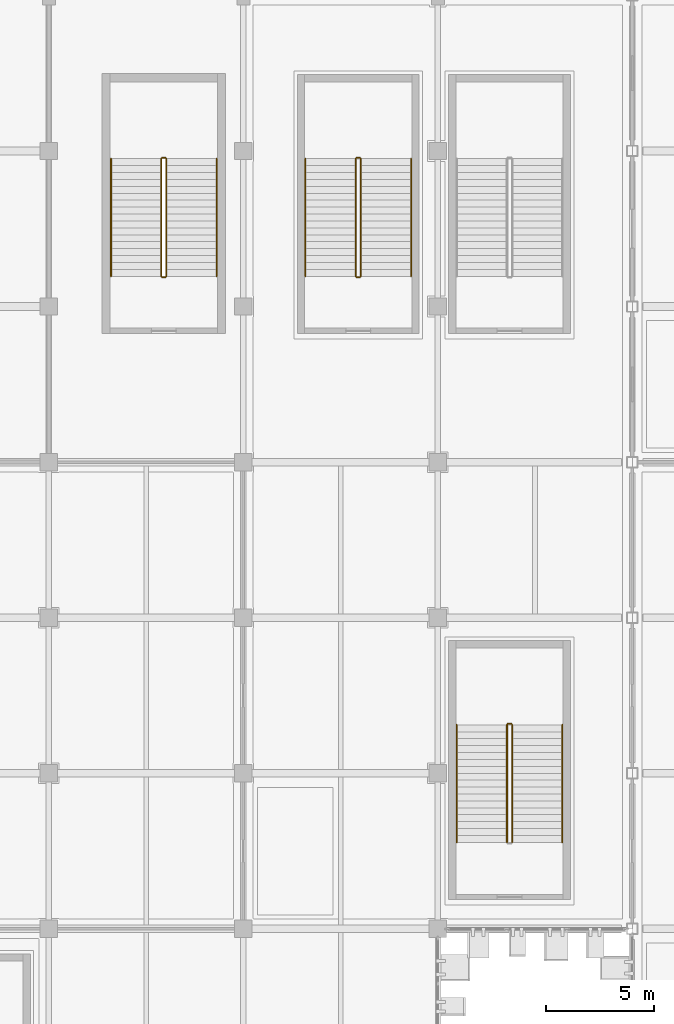
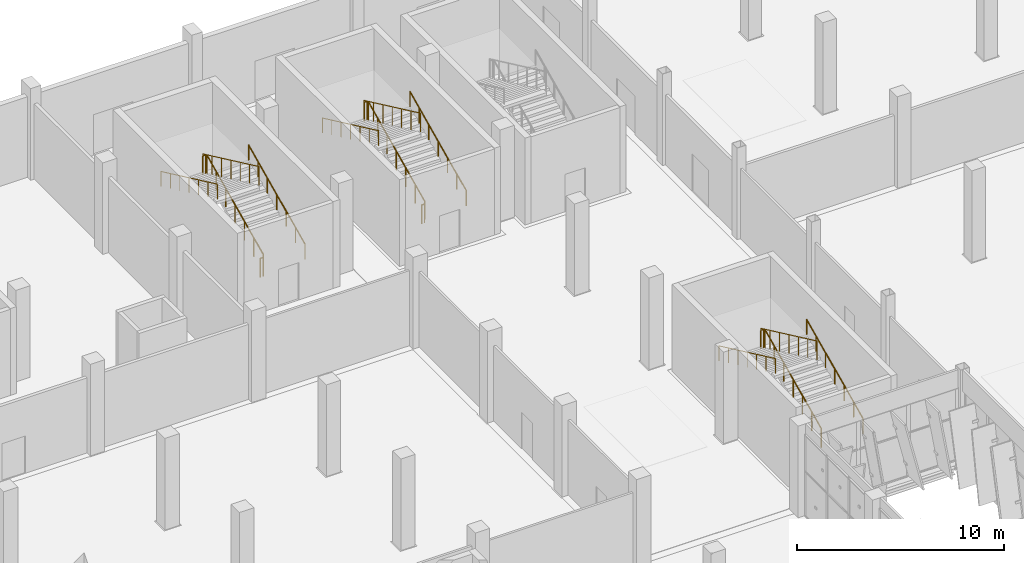
# One storey, part 133 of 137: 17 railings.
"""IFC4 building model written with IfcOpenShell, lengths in metres."""

from ifc_helpers import new_model, si_unit, direction, frame, origin, origin_2d, place, context, subcontext, project, spatial, circle, extrude, material, layer, layer_set, type_object, element, save


model = new_model("IFC4")

# Units and contexts
model_context = context("Model", 3, precision=1e-05, world=origin(), true_north=direction((0.0, 1.0)))
body_context = subcontext(model_context, "Body", "Model", "MODEL_VIEW")
ifc_project = project(units=[si_unit("LENGTHUNIT", "METRE"), si_unit("AREAUNIT", "SQUARE_METRE"), si_unit("VOLUMEUNIT", "CUBIC_METRE"), si_unit("PLANEANGLEUNIT", "RADIAN"), si_unit("MASSUNIT", "GRAM", prefix="KILO")], contexts=[model_context])

# Site, building, storey
site_placement = place(None, origin())
site = spatial("IfcSite", under=ifc_project, at=site_placement, CompositionType="ELEMENT")
building_placement = place(site_placement, origin())
building = spatial("IfcBuilding", under=site, at=building_placement, Name="Celestram Park Convention Centre", CompositionType="ELEMENT")
storey_placement = place(building_placement, origin())
storey = spatial("IfcBuildingStorey", under=building, at=storey_placement, Name="L00", CompositionType="ELEMENT", Elevation=0.0)

# Railings
ifc_material_1 = material(Name="Stainless Steel AISI 316L & Laminated Glass", Category="steel")
ifc_layer_1 = layer(ifc_material_1, 0.06005859375)
ifc_layer_set_1 = layer_set([ifc_layer_1], Name="Stainless Steel AISI 316L & Laminated Glass")
railing_type_1 = type_object("IfcRailingType", Name="ARC-RL-GRD1120", PredefinedType="GUARDRAIL", material=ifc_layer_set_1)
railing_1_placement = place(storey_placement, frame((131.43603515625, 152.60009765625, 0.14990234375)))
element("IfcRailing", 1, at=railing_1_placement, inside=storey, type_object=railing_type_1, Name="L00 ST-05 stair guard 1", PredefinedType="GUARDRAIL", context=body_context, shape_type="SweptSolid", body=[
    extrude(circle(Radius=0.02392578125, at=origin_2d()), frame((0.0, 0.0, 1.09619140625), z_axis=(0.0, 0.90545405566, 0.424444287379), x_axis=(-1.0, 0.0, 0.0)), (0.0, 0.0, 1.0), 6.008056640625),
    extrude(circle(Radius=0.02099609375, at=origin_2d()), origin(), (0.0, 0.0, 1.0), 1.072021484375),
    extrude(circle(Radius=0.02099609375, at=origin_2d()), frame((0.0, 0.90673828125, 0.425048828125)), (0.0, 0.0, 1.0), 1.072021484375),
    extrude(circle(Radius=0.02099609375, at=origin_2d()), frame((0.0, 1.813232421875, 0.85009765625)), (0.0, 0.0, 1.0), 1.072021484375),
    extrude(circle(Radius=0.02099609375, at=origin_2d()), frame((0.0, 2.719970703125, 1.27490234375)), (0.0, 0.0, 1.0), 1.072021484375),
    extrude(circle(Radius=0.02099609375, at=origin_2d()), frame((0.0, 3.626708984375, 1.699951171875)), (0.0, 0.0, 1.0), 1.072021484375),
    extrude(circle(Radius=0.02099609375, at=origin_2d()), frame((0.0, 4.533203125, 2.125)), (0.0, 0.0, 1.0), 1.072021484375),
    extrude(circle(Radius=0.02099609375, at=origin_2d()), frame((0.0, 5.43994140625, 2.550048828125)), (0.0, 0.0, 1.0), 1.072021484375),
])
railing_2_placement = place(storey_placement, frame((131.39990234375, 158.090087890625, 2.699951171875)))
element("IfcRailing", 2, at=railing_2_placement, inside=storey, type_object=railing_type_1, Name="L00 ST-05 stair guard 2", PredefinedType="GUARDRAIL", context=body_context, shape_type="SweptSolid", body=[
    extrude(circle(Radius=0.02392578125, at=origin_2d()), frame((0.0, 0.0, 1.09619140625), z_axis=(-1.0, 0.0, 0.0), x_axis=(0.0, -1.0, 0.0)), (0.0, 0.0, 1.0), 0.159912109375),
    extrude(circle(Radius=0.02099609375, at=origin_2d()), origin(), (0.0, 0.0, 1.0), 1.072021484375),
    extrude(circle(Radius=0.02099609375, at=origin_2d()), frame((-0.159912109375, 0.0, 0.0)), (0.0, 0.0, 1.0), 1.072021484375),
])
railing_3_placement = place(storey_placement, frame((131.2041015625, 158.0400390625, 2.85009765625)))
element("IfcRailing", 3, at=railing_3_placement, inside=storey, type_object=railing_type_1, Name="L00 ST-05 stair guard 3", PredefinedType="GUARDRAIL", context=body_context, shape_type="SweptSolid", body=[
    extrude(circle(Radius=0.02392578125, at=origin_2d()), frame((0.0, 0.0, 1.09619140625), z_axis=(0.0, -0.90546967238, 0.424410971113), x_axis=(1.0, 0.0, 0.0)), (0.0, 0.0, 1.0), 6.0078125),
    extrude(circle(Radius=0.02099609375, at=origin_2d()), origin(), (0.0, 0.0, 1.0), 1.072021484375),
    extrude(circle(Radius=0.02099609375, at=origin_2d()), frame((0.0, -0.90673828125, 0.425048828125)), (0.0, 0.0, 1.0), 1.072021484375),
    extrude(circle(Radius=0.02099609375, at=origin_2d()), frame((0.0, -1.813232421875, 0.849853515625)), (0.0, 0.0, 1.0), 1.072021484375),
    extrude(circle(Radius=0.02099609375, at=origin_2d()), frame((0.0, -2.719970703125, 1.27490234375)), (0.0, 0.0, 1.0), 1.072021484375),
    extrude(circle(Radius=0.02099609375, at=origin_2d()), frame((0.0, -3.626708984375, 1.699951171875)), (0.0, 0.0, 1.0), 1.072021484375),
    extrude(circle(Radius=0.02099609375, at=origin_2d()), frame((0.0, -4.533203125, 2.124755859375)), (0.0, 0.0, 1.0), 1.072021484375),
    extrude(circle(Radius=0.02099609375, at=origin_2d()), frame((0.0, -5.43994140625, 2.5498046875)), (0.0, 0.0, 1.0), 1.072021484375),
])
railing_4_placement = place(storey_placement, frame((131.39990234375, 152.550048828125, 0.0)))
element("IfcRailing", 4, at=railing_4_placement, inside=storey, type_object=railing_type_1, Name="L00 ST-05 stair guard 4", PredefinedType="GUARDRAIL", context=body_context, shape_type="SweptSolid", body=[
    extrude(circle(Radius=0.02392578125, at=origin_2d()), frame((0.0, 0.0, 1.09619140625), z_axis=(-1.0, 0.0, 0.0), x_axis=(0.0, -1.0, 0.0)), (0.0, 0.0, 1.0), 0.159912109375),
    extrude(circle(Radius=0.02099609375, at=origin_2d()), origin(), (0.0, 0.0, 1.0), 1.072021484375),
    extrude(circle(Radius=0.02099609375, at=origin_2d()), frame((-0.159912109375, 0.0, 0.0)), (0.0, 0.0, 1.0), 1.072021484375),
])
railing_5_placement = place(storey_placement, frame((147.43603515625, 126.39990234375, 0.14990234375)))
element("IfcRailing", 5, at=railing_5_placement, inside=storey, type_object=railing_type_1, Name="L00 ST-10 stair guard 1", PredefinedType="GUARDRAIL", context=body_context, shape_type="SweptSolid", body=[
    extrude(circle(Radius=0.02392578125, at=origin_2d()), frame((0.0, 0.0, 1.09619140625), z_axis=(0.0, 0.905461375974, 0.424428670827), x_axis=(-1.0, 0.0, 0.0)), (0.0, 0.0, 1.0), 6.00830078125),
    extrude(circle(Radius=0.02099609375, at=origin_2d()), origin(), (0.0, 0.0, 1.0), 1.072021484375),
    extrude(circle(Radius=0.02099609375, at=origin_2d()), frame((0.0, 0.90673828125, 0.425048828125)), (0.0, 0.0, 1.0), 1.072021484375),
    extrude(circle(Radius=0.02099609375, at=origin_2d()), frame((0.0, 1.8134765625, 0.85009765625)), (0.0, 0.0, 1.0), 1.072021484375),
    extrude(circle(Radius=0.02099609375, at=origin_2d()), frame((0.0, 2.72021484375, 1.27490234375)), (0.0, 0.0, 1.0), 1.072021484375),
    extrude(circle(Radius=0.02099609375, at=origin_2d()), frame((0.0, 3.626708984375, 1.699951171875)), (0.0, 0.0, 1.0), 1.072021484375),
    extrude(circle(Radius=0.02099609375, at=origin_2d()), frame((0.0, 4.533447265625, 2.125)), (0.0, 0.0, 1.0), 1.072021484375),
    extrude(circle(Radius=0.02099609375, at=origin_2d()), frame((0.0, 5.440185546875, 2.550048828125)), (0.0, 0.0, 1.0), 1.072021484375),
])
railing_6_placement = place(storey_placement, frame((147.39990234375, 131.889892578125, 2.699951171875)))
element("IfcRailing", 6, at=railing_6_placement, inside=storey, type_object=railing_type_1, Name="L00 ST-10 stair guard 2", PredefinedType="GUARDRAIL", context=body_context, shape_type="SweptSolid", body=[
    extrude(circle(Radius=0.02392578125, at=origin_2d()), frame((0.0, 0.0, 1.09619140625), z_axis=(-1.0, 0.0, 0.0), x_axis=(0.0, -1.0, 0.0)), (0.0, 0.0, 1.0), 0.159912109375),
    extrude(circle(Radius=0.02099609375, at=origin_2d()), origin(), (0.0, 0.0, 1.0), 1.072021484375),
    extrude(circle(Radius=0.02099609375, at=origin_2d()), frame((-0.159912109375, 0.0, 0.0)), (0.0, 0.0, 1.0), 1.072021484375),
])
railing_7_placement = place(storey_placement, frame((147.2041015625, 131.840087890625, 2.85009765625)))
element("IfcRailing", 7, at=railing_7_placement, inside=storey, type_object=railing_type_1, Name="L00 ST-10 stair guard 3", PredefinedType="GUARDRAIL", context=body_context, shape_type="SweptSolid", body=[
    extrude(circle(Radius=0.02392578125, at=origin_2d()), frame((0.0, 0.0, 1.09619140625), z_axis=(0.0, -0.90547699167, 0.424395355248), x_axis=(1.0, 0.0, 0.0)), (0.0, 0.0, 1.0), 6.008056640625),
    extrude(circle(Radius=0.02099609375, at=origin_2d()), origin(), (0.0, 0.0, 1.0), 1.072021484375),
    extrude(circle(Radius=0.02099609375, at=origin_2d()), frame((0.0, -0.90673828125, 0.425048828125)), (0.0, 0.0, 1.0), 1.072021484375),
    extrude(circle(Radius=0.02099609375, at=origin_2d()), frame((0.0, -1.8134765625, 0.849853515625)), (0.0, 0.0, 1.0), 1.072021484375),
    extrude(circle(Radius=0.02099609375, at=origin_2d()), frame((0.0, -2.72021484375, 1.27490234375)), (0.0, 0.0, 1.0), 1.072021484375),
    extrude(circle(Radius=0.02099609375, at=origin_2d()), frame((0.0, -3.626708984375, 1.699951171875)), (0.0, 0.0, 1.0), 1.072021484375),
    extrude(circle(Radius=0.02099609375, at=origin_2d()), frame((0.0, -4.533447265625, 2.124755859375)), (0.0, 0.0, 1.0), 1.072021484375),
    extrude(circle(Radius=0.02099609375, at=origin_2d()), frame((0.0, -5.440185546875, 2.5498046875)), (0.0, 0.0, 1.0), 1.072021484375),
])
railing_8_placement = place(storey_placement, frame((140.43603515625, 152.60009765625, 0.14990234375)))
element("IfcRailing", 8, at=railing_8_placement, inside=storey, type_object=railing_type_1, Name="L00 ST-22 stair guard 1", PredefinedType="GUARDRAIL", context=body_context, shape_type="SweptSolid", body=[
    extrude(circle(Radius=0.02392578125, at=origin_2d()), frame((0.0, 0.0, 1.09619140625), z_axis=(0.0, 0.90545405566, 0.424444287379), x_axis=(-1.0, 0.0, 0.0)), (0.0, 0.0, 1.0), 6.008056640625),
    extrude(circle(Radius=0.02099609375, at=origin_2d()), origin(), (0.0, 0.0, 1.0), 1.072021484375),
    extrude(circle(Radius=0.02099609375, at=origin_2d()), frame((0.0, 0.90673828125, 0.425048828125)), (0.0, 0.0, 1.0), 1.072021484375),
    extrude(circle(Radius=0.02099609375, at=origin_2d()), frame((0.0, 1.813232421875, 0.85009765625)), (0.0, 0.0, 1.0), 1.072021484375),
    extrude(circle(Radius=0.02099609375, at=origin_2d()), frame((0.0, 2.719970703125, 1.27490234375)), (0.0, 0.0, 1.0), 1.072021484375),
    extrude(circle(Radius=0.02099609375, at=origin_2d()), frame((0.0, 3.626708984375, 1.699951171875)), (0.0, 0.0, 1.0), 1.072021484375),
    extrude(circle(Radius=0.02099609375, at=origin_2d()), frame((0.0, 4.533203125, 2.125)), (0.0, 0.0, 1.0), 1.072021484375),
    extrude(circle(Radius=0.02099609375, at=origin_2d()), frame((0.0, 5.43994140625, 2.550048828125)), (0.0, 0.0, 1.0), 1.072021484375),
])
railing_9_placement = place(storey_placement, frame((140.39990234375, 158.090087890625, 2.699951171875)))
element("IfcRailing", 9, at=railing_9_placement, inside=storey, type_object=railing_type_1, Name="L00 ST-22 stair guard 2", PredefinedType="GUARDRAIL", context=body_context, shape_type="SweptSolid", body=[
    extrude(circle(Radius=0.02392578125, at=origin_2d()), frame((0.0, 0.0, 1.09619140625), z_axis=(-1.0, 0.0, 0.0), x_axis=(0.0, -1.0, 0.0)), (0.0, 0.0, 1.0), 0.159912109375),
    extrude(circle(Radius=0.02099609375, at=origin_2d()), origin(), (0.0, 0.0, 1.0), 1.072021484375),
    extrude(circle(Radius=0.02099609375, at=origin_2d()), frame((-0.159912109375, 0.0, 0.0)), (0.0, 0.0, 1.0), 1.072021484375),
])
railing_10_placement = place(storey_placement, frame((140.2041015625, 158.0400390625, 2.85009765625)))
element("IfcRailing", 10, at=railing_10_placement, inside=storey, type_object=railing_type_1, Name="L00 ST-22 stair guard 3", PredefinedType="GUARDRAIL", context=body_context, shape_type="SweptSolid", body=[
    extrude(circle(Radius=0.02392578125, at=origin_2d()), frame((0.0, 0.0, 1.09619140625), z_axis=(0.0, -0.90546967238, 0.424410971113), x_axis=(1.0, 0.0, 0.0)), (0.0, 0.0, 1.0), 6.0078125),
    extrude(circle(Radius=0.02099609375, at=origin_2d()), origin(), (0.0, 0.0, 1.0), 1.072021484375),
    extrude(circle(Radius=0.02099609375, at=origin_2d()), frame((0.0, -0.90673828125, 0.425048828125)), (0.0, 0.0, 1.0), 1.072021484375),
    extrude(circle(Radius=0.02099609375, at=origin_2d()), frame((0.0, -1.813232421875, 0.849853515625)), (0.0, 0.0, 1.0), 1.072021484375),
    extrude(circle(Radius=0.02099609375, at=origin_2d()), frame((0.0, -2.719970703125, 1.27490234375)), (0.0, 0.0, 1.0), 1.072021484375),
    extrude(circle(Radius=0.02099609375, at=origin_2d()), frame((0.0, -3.626708984375, 1.699951171875)), (0.0, 0.0, 1.0), 1.072021484375),
    extrude(circle(Radius=0.02099609375, at=origin_2d()), frame((0.0, -4.533203125, 2.124755859375)), (0.0, 0.0, 1.0), 1.072021484375),
    extrude(circle(Radius=0.02099609375, at=origin_2d()), frame((0.0, -5.43994140625, 2.5498046875)), (0.0, 0.0, 1.0), 1.072021484375),
])
railing_11_placement = place(storey_placement, frame((140.39990234375, 152.550048828125, 0.0)))
element("IfcRailing", 11, at=railing_11_placement, inside=storey, type_object=railing_type_1, Name="L00 ST-22 stair guard 4", PredefinedType="GUARDRAIL", context=body_context, shape_type="SweptSolid", body=[
    extrude(circle(Radius=0.02392578125, at=origin_2d()), frame((0.0, 0.0, 1.09619140625), z_axis=(-1.0, 0.0, 0.0), x_axis=(0.0, -1.0, 0.0)), (0.0, 0.0, 1.0), 0.159912109375),
    extrude(circle(Radius=0.02099609375, at=origin_2d()), origin(), (0.0, 0.0, 1.0), 1.072021484375),
    extrude(circle(Radius=0.02099609375, at=origin_2d()), frame((-0.159912109375, 0.0, 0.0)), (0.0, 0.0, 1.0), 1.072021484375),
])
ifc_material_2 = material(Name="Brushed Stainless Steel AISI 304", Category="steel")
ifc_layer_2 = layer(ifc_material_2, 0.048095703125)
ifc_layer_set_2 = layer_set([ifc_layer_2], Name="Brushed Stainless Steel AISI 304")
railing_type_2 = type_object("IfcRailingType", Name="ARC-RL-HND915", PredefinedType="HANDRAIL", material=ifc_layer_set_2)
railing_12_placement = place(storey_placement, frame((133.763916015625, 152.60009765625, 0.14990234375)))
element("IfcRailing", 12, at=railing_12_placement, inside=storey, type_object=railing_type_2, Name="L00 ST-05 stair handrail 1", PredefinedType="HANDRAIL", context=body_context, shape_type="SweptSolid", body=[
    extrude(circle(Radius=0.02392578125, at=origin_2d()), frame((0.0, 0.0, 0.8759765625), z_axis=(0.0, 0.90545405566, 0.424444287379), x_axis=(-1.0, 0.0, 0.0)), (0.0, 0.0, 1.0), 6.008056640625),
    extrude(circle(Radius=0.02099609375, at=origin_2d()), origin(), (0.0, 0.0, 1.0), 0.851806640625),
    extrude(circle(Radius=0.02099609375, at=origin_2d()), frame((0.0, 0.90673828125, 0.425048828125)), (0.0, 0.0, 1.0), 0.851806640625),
    extrude(circle(Radius=0.02099609375, at=origin_2d()), frame((0.0, 1.813232421875, 0.85009765625)), (0.0, 0.0, 1.0), 0.851806640625),
    extrude(circle(Radius=0.02099609375, at=origin_2d()), frame((0.0, 2.719970703125, 1.27490234375)), (0.0, 0.0, 1.0), 0.851806640625),
    extrude(circle(Radius=0.02099609375, at=origin_2d()), frame((0.0, 3.626708984375, 1.699951171875)), (0.0, 0.0, 1.0), 0.851806640625),
    extrude(circle(Radius=0.02099609375, at=origin_2d()), frame((0.0, 4.533203125, 2.125)), (0.0, 0.0, 1.0), 0.851806640625),
    extrude(circle(Radius=0.02099609375, at=origin_2d()), frame((0.0, 5.43994140625, 2.550048828125)), (0.0, 0.0, 1.0), 0.851806640625),
])
railing_13_placement = place(storey_placement, frame((128.8759765625, 158.0400390625, 2.85009765625)))
element("IfcRailing", 13, at=railing_13_placement, inside=storey, type_object=railing_type_2, Name="L00 ST-05 stair handrail 2", PredefinedType="HANDRAIL", context=body_context, shape_type="SweptSolid", body=[
    extrude(circle(Radius=0.02392578125, at=origin_2d()), frame((0.0, 0.0, 0.8759765625), z_axis=(0.0, -0.90546967238, 0.424410971113), x_axis=(1.0, 0.0, 0.0)), (0.0, 0.0, 1.0), 6.0078125),
    extrude(circle(Radius=0.02099609375, at=origin_2d()), origin(), (0.0, 0.0, 1.0), 0.851806640625),
    extrude(circle(Radius=0.02099609375, at=origin_2d()), frame((0.0, -0.90673828125, 0.425048828125)), (0.0, 0.0, 1.0), 0.851806640625),
    extrude(circle(Radius=0.02099609375, at=origin_2d()), frame((0.0, -1.813232421875, 0.849853515625)), (0.0, 0.0, 1.0), 0.851806640625),
    extrude(circle(Radius=0.02099609375, at=origin_2d()), frame((0.0, -2.719970703125, 1.27490234375)), (0.0, 0.0, 1.0), 0.851806640625),
    extrude(circle(Radius=0.02099609375, at=origin_2d()), frame((0.0, -3.626708984375, 1.699951171875)), (0.0, 0.0, 1.0), 0.851806640625),
    extrude(circle(Radius=0.02099609375, at=origin_2d()), frame((0.0, -4.533203125, 2.124755859375)), (0.0, 0.0, 1.0), 0.851806640625),
    extrude(circle(Radius=0.02099609375, at=origin_2d()), frame((0.0, -5.43994140625, 2.5498046875)), (0.0, 0.0, 1.0), 0.851806640625),
])
railing_14_placement = place(storey_placement, frame((149.763916015625, 126.39990234375, 0.14990234375)))
element("IfcRailing", 14, at=railing_14_placement, inside=storey, type_object=railing_type_2, Name="L00 ST-10 stair handrail 1", PredefinedType="HANDRAIL", context=body_context, shape_type="SweptSolid", body=[
    extrude(circle(Radius=0.02392578125, at=origin_2d()), frame((0.0, 0.0, 0.8759765625), z_axis=(0.0, 0.905461375974, 0.424428670827), x_axis=(-1.0, 0.0, 0.0)), (0.0, 0.0, 1.0), 6.00830078125),
    extrude(circle(Radius=0.02099609375, at=origin_2d()), origin(), (0.0, 0.0, 1.0), 0.851806640625),
    extrude(circle(Radius=0.02099609375, at=origin_2d()), frame((0.0, 0.90673828125, 0.425048828125)), (0.0, 0.0, 1.0), 0.851806640625),
    extrude(circle(Radius=0.02099609375, at=origin_2d()), frame((0.0, 1.8134765625, 0.85009765625)), (0.0, 0.0, 1.0), 0.851806640625),
    extrude(circle(Radius=0.02099609375, at=origin_2d()), frame((0.0, 2.72021484375, 1.27490234375)), (0.0, 0.0, 1.0), 0.851806640625),
    extrude(circle(Radius=0.02099609375, at=origin_2d()), frame((0.0, 3.626708984375, 1.699951171875)), (0.0, 0.0, 1.0), 0.851806640625),
    extrude(circle(Radius=0.02099609375, at=origin_2d()), frame((0.0, 4.533447265625, 2.125)), (0.0, 0.0, 1.0), 0.851806640625),
    extrude(circle(Radius=0.02099609375, at=origin_2d()), frame((0.0, 5.440185546875, 2.550048828125)), (0.0, 0.0, 1.0), 0.851806640625),
])
railing_15_placement = place(storey_placement, frame((144.8759765625, 131.840087890625, 2.85009765625)))
element("IfcRailing", 15, at=railing_15_placement, inside=storey, type_object=railing_type_2, Name="L00 ST-10 stair handrail 2", PredefinedType="HANDRAIL", context=body_context, shape_type="SweptSolid", body=[
    extrude(circle(Radius=0.02392578125, at=origin_2d()), frame((0.0, 0.0, 0.8759765625), z_axis=(0.0, -0.90547699167, 0.424395355248), x_axis=(1.0, 0.0, 0.0)), (0.0, 0.0, 1.0), 6.008056640625),
    extrude(circle(Radius=0.02099609375, at=origin_2d()), origin(), (0.0, 0.0, 1.0), 0.851806640625),
    extrude(circle(Radius=0.02099609375, at=origin_2d()), frame((0.0, -0.90673828125, 0.425048828125)), (0.0, 0.0, 1.0), 0.851806640625),
    extrude(circle(Radius=0.02099609375, at=origin_2d()), frame((0.0, -1.8134765625, 0.849853515625)), (0.0, 0.0, 1.0), 0.851806640625),
    extrude(circle(Radius=0.02099609375, at=origin_2d()), frame((0.0, -2.72021484375, 1.27490234375)), (0.0, 0.0, 1.0), 0.851806640625),
    extrude(circle(Radius=0.02099609375, at=origin_2d()), frame((0.0, -3.626708984375, 1.699951171875)), (0.0, 0.0, 1.0), 0.851806640625),
    extrude(circle(Radius=0.02099609375, at=origin_2d()), frame((0.0, -4.533447265625, 2.124755859375)), (0.0, 0.0, 1.0), 0.851806640625),
    extrude(circle(Radius=0.02099609375, at=origin_2d()), frame((0.0, -5.440185546875, 2.5498046875)), (0.0, 0.0, 1.0), 0.851806640625),
])
railing_16_placement = place(storey_placement, frame((142.763916015625, 152.60009765625, 0.14990234375)))
element("IfcRailing", 16, at=railing_16_placement, inside=storey, type_object=railing_type_2, Name="L00 ST-22 stair handrail 1", PredefinedType="HANDRAIL", context=body_context, shape_type="SweptSolid", body=[
    extrude(circle(Radius=0.02392578125, at=origin_2d()), frame((0.0, 0.0, 0.8759765625), z_axis=(0.0, 0.90545405566, 0.424444287379), x_axis=(-1.0, 0.0, 0.0)), (0.0, 0.0, 1.0), 6.008056640625),
    extrude(circle(Radius=0.02099609375, at=origin_2d()), origin(), (0.0, 0.0, 1.0), 0.851806640625),
    extrude(circle(Radius=0.02099609375, at=origin_2d()), frame((0.0, 0.90673828125, 0.425048828125)), (0.0, 0.0, 1.0), 0.851806640625),
    extrude(circle(Radius=0.02099609375, at=origin_2d()), frame((0.0, 1.813232421875, 0.85009765625)), (0.0, 0.0, 1.0), 0.851806640625),
    extrude(circle(Radius=0.02099609375, at=origin_2d()), frame((0.0, 2.719970703125, 1.27490234375)), (0.0, 0.0, 1.0), 0.851806640625),
    extrude(circle(Radius=0.02099609375, at=origin_2d()), frame((0.0, 3.626708984375, 1.699951171875)), (0.0, 0.0, 1.0), 0.851806640625),
    extrude(circle(Radius=0.02099609375, at=origin_2d()), frame((0.0, 4.533203125, 2.125)), (0.0, 0.0, 1.0), 0.851806640625),
    extrude(circle(Radius=0.02099609375, at=origin_2d()), frame((0.0, 5.43994140625, 2.550048828125)), (0.0, 0.0, 1.0), 0.851806640625),
])
railing_17_placement = place(storey_placement, frame((137.8759765625, 158.0400390625, 2.85009765625)))
element("IfcRailing", 17, at=railing_17_placement, inside=storey, type_object=railing_type_2, Name="L00 ST-22 stair handrail 2", PredefinedType="HANDRAIL", context=body_context, shape_type="SweptSolid", body=[
    extrude(circle(Radius=0.02392578125, at=origin_2d()), frame((0.0, 0.0, 0.8759765625), z_axis=(0.0, -0.90546967238, 0.424410971113), x_axis=(1.0, 0.0, 0.0)), (0.0, 0.0, 1.0), 6.0078125),
    extrude(circle(Radius=0.02099609375, at=origin_2d()), origin(), (0.0, 0.0, 1.0), 0.851806640625),
    extrude(circle(Radius=0.02099609375, at=origin_2d()), frame((0.0, -0.90673828125, 0.425048828125)), (0.0, 0.0, 1.0), 0.851806640625),
    extrude(circle(Radius=0.02099609375, at=origin_2d()), frame((0.0, -1.813232421875, 0.849853515625)), (0.0, 0.0, 1.0), 0.851806640625),
    extrude(circle(Radius=0.02099609375, at=origin_2d()), frame((0.0, -2.719970703125, 1.27490234375)), (0.0, 0.0, 1.0), 0.851806640625),
    extrude(circle(Radius=0.02099609375, at=origin_2d()), frame((0.0, -3.626708984375, 1.699951171875)), (0.0, 0.0, 1.0), 0.851806640625),
    extrude(circle(Radius=0.02099609375, at=origin_2d()), frame((0.0, -4.533203125, 2.124755859375)), (0.0, 0.0, 1.0), 0.851806640625),
    extrude(circle(Radius=0.02099609375, at=origin_2d()), frame((0.0, -5.43994140625, 2.5498046875)), (0.0, 0.0, 1.0), 0.851806640625),
])

save(model, "model.ifc")
